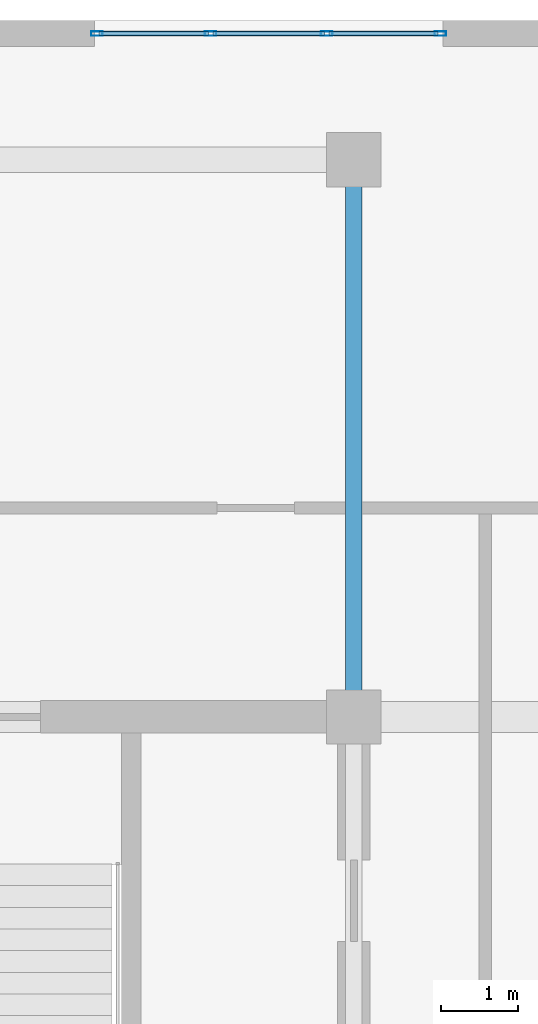
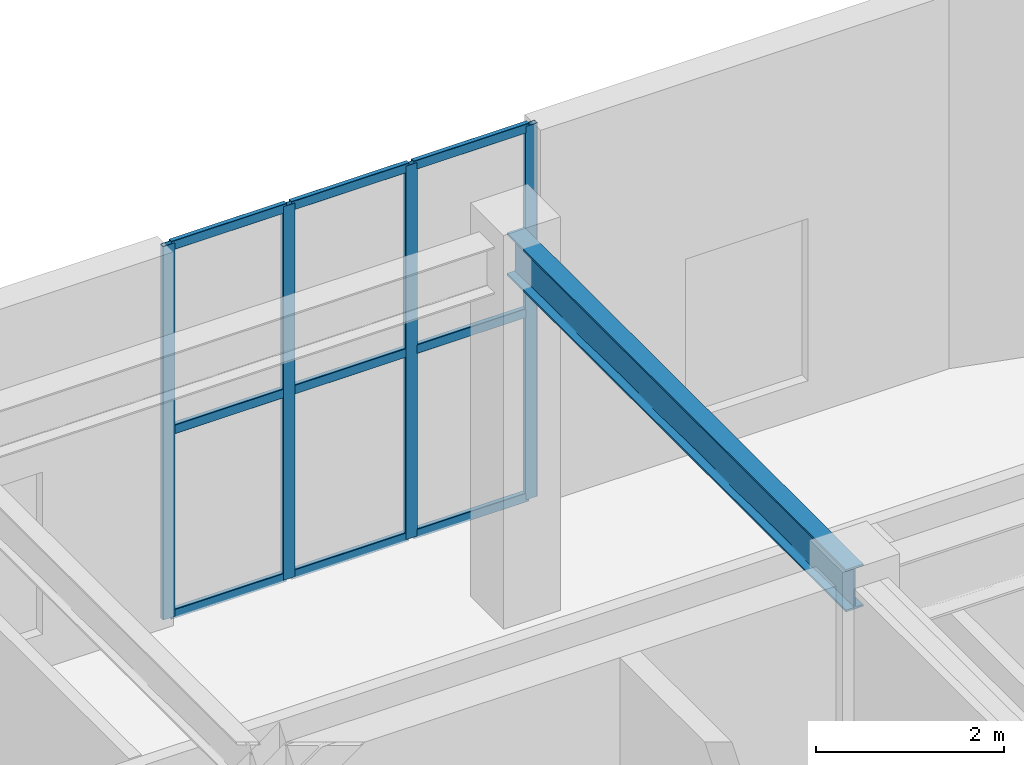
# One storey, part 4 of 10: 13 members, 1 beam, 1 element without a shape of its own.
"""IFC4 building model written with IfcOpenShell, lengths in metres."""

from ifc_helpers import new_model, entity, si_unit, converted_unit, direction, frame, origin_with_axes, origin_2d_with_axis, place, context, subcontext, project, spatial, hollow_rectangle, i_section, extrude, material, material_profile, profile_set, type_object, element, aggregate, save


model = new_model("IFC4")

# Units and contexts
model_context = context("Model", 3, precision=1e-05, world=origin_with_axes(), true_north=direction((0.0, 1.0)))
body_context = subcontext(model_context, "Body", "Model", "MODEL_VIEW")
ifc_project = project(units=[si_unit("LENGTHUNIT", "METRE"), si_unit("AREAUNIT", "SQUARE_METRE"), si_unit("VOLUMEUNIT", "CUBIC_METRE"), converted_unit("PLANEANGLEUNIT", "DEGREE", entity("IfcPlaneAngleMeasure", 0.017453292519943295), si_unit("PLANEANGLEUNIT", "RADIAN"), dimensions=[0, 0, 0, 0, 0, 0, 0]), si_unit("MASSUNIT", "GRAM", prefix="KILO"), si_unit("THERMODYNAMICTEMPERATUREUNIT", "KELVIN")], contexts=[model_context])

# Site, building, storey
site_placement = place(None, origin_with_axes())
site = spatial("IfcSite", under=ifc_project, at=site_placement, CompositionType="ELEMENT")
building_placement = place(site_placement, origin_with_axes())
building = spatial("IfcBuilding", under=site, at=building_placement, Name="Varnlund Millrace Tower", CompositionType="ELEMENT")
storey_placement = place(building_placement, frame((0.0, 0.0, 303.6), z_axis=(0.0, 0.0, 1.0), x_axis=(1.0, 0.0, 0.0)))
storey = spatial("IfcBuildingStorey", under=building, at=storey_placement, Name="L75", CompositionType="ELEMENT", Elevation=303.6)

# Beam
ifc_material_1 = material(Name="Steel ASTM A992 Grade 50", Category="steel")
ifc_material_profile_1 = material_profile(ifc_material_1, i_section(OverallWidth=0.214, OverallDepth=0.549, WebThickness=0.0147, FlangeThickness=0.0236, FilletRadius=0.015, at=origin_2d_with_axis()), Name="Steel ASTM A992 Grade 50")
ifc_profile_set_1 = profile_set([ifc_material_profile_1], Name="Steel ASTM A992 Grade 50")
beam_type = type_object("IfcBeamType", Name="Type-Beam-W21X93", PredefinedType="BEAM", material=ifc_profile_set_1)
beam_placement = place(storey_placement, frame((18.6, 37.8, 4.5655), z_axis=(0.0, 1.0, 0.0), x_axis=(-1.0, 0.0, 0.0)))
element("IfcBeam", 1, at=beam_placement, inside=storey, type_object=beam_type, Name="Type-Beam-W21X93", PredefinedType="BEAM", context=body_context, shape_type="SweptSolid", body=[
    extrude(i_section(OverallWidth=0.214, OverallDepth=0.549, WebThickness=0.0147, FlangeThickness=0.0236, FilletRadius=0.015, at=origin_2d_with_axis()), origin_with_axes(), (0.0, 0.0, 1.0), 7.2),
])

# Curtain wall, members
ifc_material_2 = material(Name="Thermally broken architectural bronze curtain wall", Category="aluminium")
curtain_wall_type = type_object("IfcCurtainWallType", Name="Type-CW-Sys5-SkyLobby2Pool", PredefinedType="NOTDEFINED", material=ifc_material_2)
curtain_wall_placement = place(storey_placement, frame((15.25, 46.63, 0.0), z_axis=(0.0, 0.0, 1.0), x_axis=(1.0, 0.0, 0.0)))
curtain_wall = element("IfcCurtainWall", 2, at=curtain_wall_placement, inside=storey, type_object=curtain_wall_type, Name="Type-CW-Sys5-SkyLobby2Pool", PredefinedType="NOTDEFINED")
ifc_material_3 = material(Name="Architectural bronze aluminium alloy 6063-T6", Category="aluminium")
ifc_material_profile_2 = material_profile(ifc_material_3, hollow_rectangle(XDim=0.06, YDim=0.15, WallThickness=0.004, InnerFilletRadius=0.004, OuterFilletRadius=0.008, at=origin_2d_with_axis()), Name="Architectural bronze aluminium alloy 6063-T6")
ifc_profile_set_2 = profile_set([ifc_material_profile_2], Name="Architectural bronze aluminium alloy 6063-T6")
member_type_1 = type_object("IfcMemberType", Name="Type-CW-Mullion-60X150", PredefinedType="MULLION", material=ifc_profile_set_2)
member_1_placement = place(storey_placement, frame((15.28, 46.63, 0.0), z_axis=(0.0, 0.0, 1.0), x_axis=(0.0, 1.0, 0.0)))
member_1 = element("IfcMember", 3, at=member_1_placement, type_object=member_type_1, Name="CW-05 mullion 1", PredefinedType="MULLION", context=body_context, shape_type="SweptSolid", body=[
    extrude(hollow_rectangle(XDim=0.06, YDim=0.15, WallThickness=0.004, InnerFilletRadius=0.004, OuterFilletRadius=0.008, at=origin_2d_with_axis()), origin_with_axes(), (0.0, 0.0, 1.0), 4.84),
])
member_2_placement = place(storey_placement, frame((16.75, 46.63, 0.0), z_axis=(0.0, 0.0, 1.0), x_axis=(0.0, 1.0, 0.0)))
member_2 = element("IfcMember", 4, at=member_2_placement, type_object=member_type_1, Name="CW-05 mullion 2", PredefinedType="MULLION", context=body_context, shape_type="SweptSolid", body=[
    extrude(hollow_rectangle(XDim=0.06, YDim=0.15, WallThickness=0.004, InnerFilletRadius=0.004, OuterFilletRadius=0.008, at=origin_2d_with_axis()), origin_with_axes(), (0.0, 0.0, 1.0), 4.84),
])
member_3_placement = place(storey_placement, frame((18.25, 46.63, 0.0), z_axis=(0.0, 0.0, 1.0), x_axis=(0.0, 1.0, 0.0)))
member_3 = element("IfcMember", 5, at=member_3_placement, type_object=member_type_1, Name="CW-05 mullion 3", PredefinedType="MULLION", context=body_context, shape_type="SweptSolid", body=[
    extrude(hollow_rectangle(XDim=0.06, YDim=0.15, WallThickness=0.004, InnerFilletRadius=0.004, OuterFilletRadius=0.008, at=origin_2d_with_axis()), origin_with_axes(), (0.0, 0.0, 1.0), 4.84),
])
member_4_placement = place(storey_placement, frame((19.72, 46.63, 0.0), z_axis=(0.0, 0.0, 1.0), x_axis=(0.0, 1.0, 0.0)))
member_4 = element("IfcMember", 6, at=member_4_placement, type_object=member_type_1, Name="CW-05 mullion 4", PredefinedType="MULLION", context=body_context, shape_type="SweptSolid", body=[
    extrude(hollow_rectangle(XDim=0.06, YDim=0.15, WallThickness=0.004, InnerFilletRadius=0.004, OuterFilletRadius=0.008, at=origin_2d_with_axis()), origin_with_axes(), (0.0, 0.0, 1.0), 4.84),
])
ifc_material_profile_3 = material_profile(ifc_material_3, hollow_rectangle(XDim=0.06, YDim=0.12, WallThickness=0.004, InnerFilletRadius=0.004, OuterFilletRadius=0.008, at=origin_2d_with_axis()), Name="Architectural bronze aluminium alloy 6063-T6")
ifc_profile_set_3 = profile_set([ifc_material_profile_3], Name="Architectural bronze aluminium alloy 6063-T6")
member_type_2 = type_object("IfcMemberType", Name="Type-CW-Transom-60X120", PredefinedType="USERDEFINED", material=ifc_profile_set_3)
member_5_placement = place(storey_placement, frame((15.31, 46.63, 0.03), z_axis=(1.0, 0.0, 0.0), x_axis=(0.0, 1.0, 0.0)))
member_5 = element("IfcMember", 7, at=member_5_placement, type_object=member_type_2, Name="CW-05 transom 1.1", ObjectType="TRANSOM", PredefinedType="USERDEFINED", context=body_context, shape_type="SweptSolid", body=[
    extrude(hollow_rectangle(XDim=0.06, YDim=0.12, WallThickness=0.004, InnerFilletRadius=0.004, OuterFilletRadius=0.008, at=origin_2d_with_axis()), origin_with_axes(), (0.0, 0.0, 1.0), 1.41),
])
member_6_placement = place(storey_placement, frame((15.31, 46.63, 2.42), z_axis=(1.0, 0.0, 0.0), x_axis=(0.0, 1.0, 0.0)))
member_6 = element("IfcMember", 8, at=member_6_placement, type_object=member_type_2, Name="CW-05 transom 1.2", ObjectType="TRANSOM", PredefinedType="USERDEFINED", context=body_context, shape_type="SweptSolid", body=[
    extrude(hollow_rectangle(XDim=0.06, YDim=0.12, WallThickness=0.004, InnerFilletRadius=0.004, OuterFilletRadius=0.008, at=origin_2d_with_axis()), origin_with_axes(), (0.0, 0.0, 1.0), 1.41),
])
member_7_placement = place(storey_placement, frame((15.31, 46.63, 4.81), z_axis=(1.0, 0.0, 0.0), x_axis=(0.0, 1.0, 0.0)))
member_7 = element("IfcMember", 9, at=member_7_placement, type_object=member_type_2, Name="CW-05 transom 1.3", ObjectType="TRANSOM", PredefinedType="USERDEFINED", context=body_context, shape_type="SweptSolid", body=[
    extrude(hollow_rectangle(XDim=0.06, YDim=0.12, WallThickness=0.004, InnerFilletRadius=0.004, OuterFilletRadius=0.008, at=origin_2d_with_axis()), origin_with_axes(), (0.0, 0.0, 1.0), 1.41),
])
member_8_placement = place(storey_placement, frame((16.78, 46.63, 0.03), z_axis=(1.0, 0.0, 0.0), x_axis=(0.0, 1.0, 0.0)))
member_8 = element("IfcMember", 10, at=member_8_placement, type_object=member_type_2, Name="CW-05 transom 2.1", ObjectType="TRANSOM", PredefinedType="USERDEFINED", context=body_context, shape_type="SweptSolid", body=[
    extrude(hollow_rectangle(XDim=0.06, YDim=0.12, WallThickness=0.004, InnerFilletRadius=0.004, OuterFilletRadius=0.008, at=origin_2d_with_axis()), origin_with_axes(), (0.0, 0.0, 1.0), 1.44),
])
member_9_placement = place(storey_placement, frame((16.78, 46.63, 2.42), z_axis=(1.0, 0.0, 0.0), x_axis=(0.0, 1.0, 0.0)))
member_9 = element("IfcMember", 11, at=member_9_placement, type_object=member_type_2, Name="CW-05 transom 2.2", ObjectType="TRANSOM", PredefinedType="USERDEFINED", context=body_context, shape_type="SweptSolid", body=[
    extrude(hollow_rectangle(XDim=0.06, YDim=0.12, WallThickness=0.004, InnerFilletRadius=0.004, OuterFilletRadius=0.008, at=origin_2d_with_axis()), origin_with_axes(), (0.0, 0.0, 1.0), 1.44),
])
member_10_placement = place(storey_placement, frame((16.78, 46.63, 4.81), z_axis=(1.0, 0.0, 0.0), x_axis=(0.0, 1.0, 0.0)))
member_10 = element("IfcMember", 12, at=member_10_placement, type_object=member_type_2, Name="CW-05 transom 2.3", ObjectType="TRANSOM", PredefinedType="USERDEFINED", context=body_context, shape_type="SweptSolid", body=[
    extrude(hollow_rectangle(XDim=0.06, YDim=0.12, WallThickness=0.004, InnerFilletRadius=0.004, OuterFilletRadius=0.008, at=origin_2d_with_axis()), origin_with_axes(), (0.0, 0.0, 1.0), 1.44),
])
member_11_placement = place(storey_placement, frame((18.28, 46.63, 0.03), z_axis=(1.0, 0.0, 0.0), x_axis=(0.0, 1.0, 0.0)))
member_11 = element("IfcMember", 13, at=member_11_placement, type_object=member_type_2, Name="CW-05 transom 3.1", ObjectType="TRANSOM", PredefinedType="USERDEFINED", context=body_context, shape_type="SweptSolid", body=[
    extrude(hollow_rectangle(XDim=0.06, YDim=0.12, WallThickness=0.004, InnerFilletRadius=0.004, OuterFilletRadius=0.008, at=origin_2d_with_axis()), origin_with_axes(), (0.0, 0.0, 1.0), 1.41),
])
member_12_placement = place(storey_placement, frame((18.28, 46.63, 2.42), z_axis=(1.0, 0.0, 0.0), x_axis=(0.0, 1.0, 0.0)))
member_12 = element("IfcMember", 14, at=member_12_placement, type_object=member_type_2, Name="CW-05 transom 3.2", ObjectType="TRANSOM", PredefinedType="USERDEFINED", context=body_context, shape_type="SweptSolid", body=[
    extrude(hollow_rectangle(XDim=0.06, YDim=0.12, WallThickness=0.004, InnerFilletRadius=0.004, OuterFilletRadius=0.008, at=origin_2d_with_axis()), origin_with_axes(), (0.0, 0.0, 1.0), 1.41),
])
member_13_placement = place(storey_placement, frame((18.28, 46.63, 4.81), z_axis=(1.0, 0.0, 0.0), x_axis=(0.0, 1.0, 0.0)))
member_13 = element("IfcMember", 15, at=member_13_placement, type_object=member_type_2, Name="CW-05 transom 3.3", ObjectType="TRANSOM", PredefinedType="USERDEFINED", context=body_context, shape_type="SweptSolid", body=[
    extrude(hollow_rectangle(XDim=0.06, YDim=0.12, WallThickness=0.004, InnerFilletRadius=0.004, OuterFilletRadius=0.008, at=origin_2d_with_axis()), origin_with_axes(), (0.0, 0.0, 1.0), 1.41),
])
aggregate(curtain_wall, [member_1, member_2, member_3, member_4, member_5, member_6, member_7, member_8, member_9, member_10, member_11, member_12, member_13])

save(model, "model.ifc")
